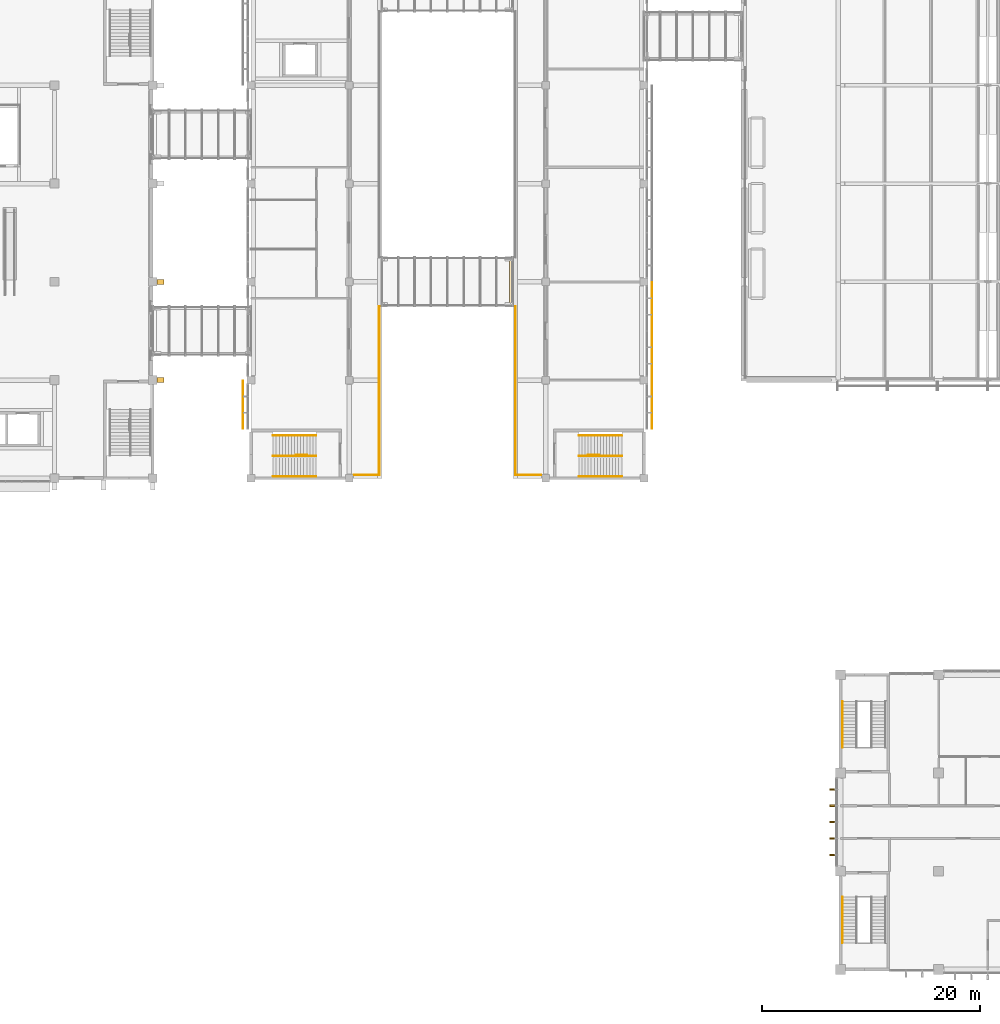
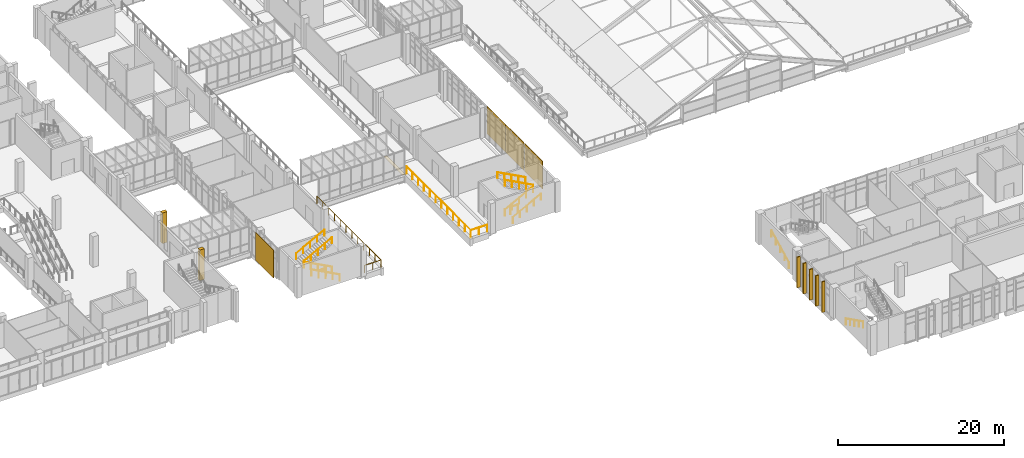
# One storey, part 97 of 106: 14 railings, 7 coverings, 5 shading devices.
"""IFC4 building model written with IfcOpenShell, lengths in metres."""

from ifc_helpers import new_model, si_unit, direction, frame, origin, origin_2d, place, context, subcontext, project, spatial, rectangle, circle, extrude, material, layer, layer_set, type_object, element, save


model = new_model("IFC4")

# Units and contexts
model_context = context("Model", 3, precision=1e-05, world=origin(), true_north=direction((0.0, 1.0)))
body_context = subcontext(model_context, "Body", "Model", "MODEL_VIEW")
ifc_project = project(units=[si_unit("LENGTHUNIT", "METRE"), si_unit("AREAUNIT", "SQUARE_METRE"), si_unit("VOLUMEUNIT", "CUBIC_METRE"), si_unit("PLANEANGLEUNIT", "RADIAN"), si_unit("MASSUNIT", "GRAM", prefix="KILO")], contexts=[model_context])

# Site, building, storey
site_placement = place(None, origin())
site = spatial("IfcSite", under=ifc_project, at=site_placement, CompositionType="ELEMENT")
building_placement = place(site_placement, origin())
building = spatial("IfcBuilding", under=site, at=building_placement, Name="Guidao Yard Department Store", CompositionType="ELEMENT")
storey_placement = place(building_placement, frame((0.0, 0.0, 10.5)))
storey = spatial("IfcBuildingStorey", under=building, at=storey_placement, Name="L02", CompositionType="ELEMENT", Elevation=10.5)

# Covering
ifc_material_1 = material(Name="Stainless steel 316", Category="steel")
ifc_layer_1 = layer(ifc_material_1, 0.010009765625)
ifc_layer_set_1 = layer_set([ifc_layer_1], Name="Bridge joint cover JC1 stainless steel 10 x 425")
covering_type_1 = type_object("IfcCoveringType", Name="Bridge joint cover JC1 stainless steel 10 x 425", PredefinedType="FLOORING", material=ifc_layer_set_1)
covering_placement = place(storey_placement, frame((95.887451171875, 63.0, 0.0), z_axis=(0.0, 0.0, 1.0), x_axis=(1.0, 0.0, 0.0)))
element("IfcCovering", 1, at=covering_placement, inside=storey, type_object=covering_type_1, Name="Bridge joint cover plate BR11", PredefinedType="FLOORING", context=body_context, shape_type="SweptSolid", body=[
    extrude(rectangle(XDim=0.425048828125, YDim=4.5, at=origin_2d()), origin(), (0.0, 0.0, 1.0), 0.010009765625),
])

# Railings
ifc_material_2 = material(Name="Steel Q235", Category="steel")
railing_type_1 = type_object("IfcRailingType", Name="Guard steel balustrade 1100", PredefinedType="GUARDRAIL", material=ifc_material_2)
railing_1_placement = place(storey_placement, frame((77.132080078125, 47.125, 0.0)))
element("IfcRailing", 2, at=railing_1_placement, inside=storey, type_object=railing_type_1, Name="Stair G1 guard L02 10", PredefinedType="GUARDRAIL", context=body_context, shape_type="SweptSolid", body=[
    extrude(circle(Radius=0.02392578125, at=origin_2d()), frame((0.0, 0.0, 1.076171875), z_axis=(-1.0, 0.0, 0.0), x_axis=(0.0, -1.0, 0.0)), (0.0, 0.0, 1.0), 1.0),
    extrude(circle(Radius=0.02099609375, at=origin_2d()), origin(), (0.0, 0.0, 1.0), 1.052001953125),
    extrude(circle(Radius=0.02099609375, at=origin_2d()), frame((-1.0, 0.0, 0.0)), (0.0, 0.0, 1.0), 1.052001953125),
])
railing_2_placement = place(storey_placement, frame((102.867919921875, 47.125, 0.0)))
element("IfcRailing", 3, at=railing_2_placement, inside=storey, type_object=railing_type_1, Name="Stair G3 guard L02 12", PredefinedType="GUARDRAIL", context=body_context, shape_type="SweptSolid", body=[
    extrude(circle(Radius=0.02392578125, at=origin_2d()), frame((0.0, 0.0, 1.076171875), z_axis=(1.0, 0.0, 0.0), x_axis=(0.0, 1.0, 0.0)), (0.0, 0.0, 1.0), 1.0),
    extrude(circle(Radius=0.02099609375, at=origin_2d()), origin(), (0.0, 0.0, 1.0), 1.052001953125),
    extrude(circle(Radius=0.02099609375, at=origin_2d()), frame((1.0, 0.0, 0.0)), (0.0, 0.0, 1.0), 1.052001953125),
])
railing_3_placement = place(storey_placement, frame((81.449951171875, 45.300048828125, 0.0)))
element("IfcRailing", 4, at=railing_3_placement, inside=storey, type_object=railing_type_1, Name="Guard gallery W1 L02", PredefinedType="GUARDRAIL", context=body_context, shape_type="SweptSolid", body=[
    extrude(circle(Radius=0.02392578125, at=origin_2d()), frame((0.0, 0.0, 1.076171875), z_axis=(1.0, 0.0, 0.0), x_axis=(0.0, 1.0, 0.0)), (0.0, 0.0, 1.0), 2.300048828125),
    extrude(circle(Radius=0.02392578125, at=origin_2d()), frame((2.300048828125, 0.0, 1.076171875), z_axis=(0.0, 1.0, 0.0), x_axis=(-1.0, 0.0, 0.0)), (0.0, 0.0, 1.0), 15.449951171875),
    extrude(circle(Radius=0.02099609375, at=origin_2d()), origin(), (0.0, 0.0, 1.0), 1.052001953125),
    extrude(circle(Radius=0.02099609375, at=origin_2d()), frame((1.14990234375, 0.0, 0.0)), (0.0, 0.0, 1.0), 1.052001953125),
    extrude(circle(Radius=0.02099609375, at=origin_2d()), frame((2.300048828125, 0.0, 0.0)), (0.0, 0.0, 1.0), 1.052001953125),
    extrude(circle(Radius=0.02099609375, at=origin_2d()), frame((2.300048828125, 1.404541015625, 0.0)), (0.0, 0.0, 1.0), 1.052001953125),
    extrude(circle(Radius=0.02099609375, at=origin_2d()), frame((2.300048828125, 2.80908203125, 0.0)), (0.0, 0.0, 1.0), 1.052001953125),
    extrude(circle(Radius=0.02099609375, at=origin_2d()), frame((2.300048828125, 4.213623046875, 0.0)), (0.0, 0.0, 1.0), 1.052001953125),
    extrude(circle(Radius=0.02099609375, at=origin_2d()), frame((2.300048828125, 5.6181640625, 0.0)), (0.0, 0.0, 1.0), 1.052001953125),
    extrude(circle(Radius=0.02099609375, at=origin_2d()), frame((2.300048828125, 7.022705078125, 0.0)), (0.0, 0.0, 1.0), 1.052001953125),
    extrude(circle(Radius=0.02099609375, at=origin_2d()), frame((2.300048828125, 8.42724609375, 0.0)), (0.0, 0.0, 1.0), 1.052001953125),
    extrude(circle(Radius=0.02099609375, at=origin_2d()), frame((2.300048828125, 9.831787109375, 0.0)), (0.0, 0.0, 1.0), 1.052001953125),
    extrude(circle(Radius=0.02099609375, at=origin_2d()), frame((2.300048828125, 11.236328125, 0.0)), (0.0, 0.0, 1.0), 1.052001953125),
    extrude(circle(Radius=0.02099609375, at=origin_2d()), frame((2.300048828125, 12.640869140625, 0.0)), (0.0, 0.0, 1.0), 1.052001953125),
    extrude(circle(Radius=0.02099609375, at=origin_2d()), frame((2.300048828125, 14.04541015625, 0.0)), (0.0, 0.0, 1.0), 1.052001953125),
    extrude(circle(Radius=0.02099609375, at=origin_2d()), frame((2.300048828125, 15.449951171875, 0.0)), (0.0, 0.0, 1.0), 1.052001953125),
])
railing_4_placement = place(storey_placement, frame((98.550048828125, 45.300048828125, 0.0)))
element("IfcRailing", 5, at=railing_4_placement, inside=storey, type_object=railing_type_1, Name="Guard gallery E1 L02", PredefinedType="GUARDRAIL", context=body_context, shape_type="SweptSolid", body=[
    extrude(circle(Radius=0.02392578125, at=origin_2d()), frame((0.0, 0.0, 1.076171875), z_axis=(-1.0, 0.0, 0.0), x_axis=(0.0, -1.0, 0.0)), (0.0, 0.0, 1.0), 2.300048828125),
    extrude(circle(Radius=0.02392578125, at=origin_2d()), frame((-2.300048828125, 0.0, 1.076171875), z_axis=(0.0, 1.0, 0.0), x_axis=(-1.0, 0.0, 0.0)), (0.0, 0.0, 1.0), 15.449951171875),
    extrude(circle(Radius=0.02099609375, at=origin_2d()), origin(), (0.0, 0.0, 1.0), 1.052001953125),
    extrude(circle(Radius=0.02099609375, at=origin_2d()), frame((-1.14990234375, 0.0, 0.0)), (0.0, 0.0, 1.0), 1.052001953125),
    extrude(circle(Radius=0.02099609375, at=origin_2d()), frame((-2.300048828125, 0.0, 0.0)), (0.0, 0.0, 1.0), 1.052001953125),
    extrude(circle(Radius=0.02099609375, at=origin_2d()), frame((-2.300048828125, 1.404541015625, 0.0)), (0.0, 0.0, 1.0), 1.052001953125),
    extrude(circle(Radius=0.02099609375, at=origin_2d()), frame((-2.300048828125, 2.80908203125, 0.0)), (0.0, 0.0, 1.0), 1.052001953125),
    extrude(circle(Radius=0.02099609375, at=origin_2d()), frame((-2.300048828125, 4.213623046875, 0.0)), (0.0, 0.0, 1.0), 1.052001953125),
    extrude(circle(Radius=0.02099609375, at=origin_2d()), frame((-2.300048828125, 5.6181640625, 0.0)), (0.0, 0.0, 1.0), 1.052001953125),
    extrude(circle(Radius=0.02099609375, at=origin_2d()), frame((-2.300048828125, 7.022705078125, 0.0)), (0.0, 0.0, 1.0), 1.052001953125),
    extrude(circle(Radius=0.02099609375, at=origin_2d()), frame((-2.300048828125, 8.42724609375, 0.0)), (0.0, 0.0, 1.0), 1.052001953125),
    extrude(circle(Radius=0.02099609375, at=origin_2d()), frame((-2.300048828125, 9.831787109375, 0.0)), (0.0, 0.0, 1.0), 1.052001953125),
    extrude(circle(Radius=0.02099609375, at=origin_2d()), frame((-2.300048828125, 11.236328125, 0.0)), (0.0, 0.0, 1.0), 1.052001953125),
    extrude(circle(Radius=0.02099609375, at=origin_2d()), frame((-2.300048828125, 12.640869140625, 0.0)), (0.0, 0.0, 1.0), 1.052001953125),
    extrude(circle(Radius=0.02099609375, at=origin_2d()), frame((-2.300048828125, 14.04541015625, 0.0)), (0.0, 0.0, 1.0), 1.052001953125),
    extrude(circle(Radius=0.02099609375, at=origin_2d()), frame((-2.300048828125, 15.449951171875, 0.0)), (0.0, 0.0, 1.0), 1.052001953125),
])
ifc_material_3 = material(Name="Steel Q235", Category="steel")
railing_type_2 = type_object("IfcRailingType", Name="Handrail steel tube 48", PredefinedType="HANDRAIL", material=ifc_material_3)
for number, where, name in (
    (6, (77.949951171875, 45.18505859375, 0.14990234375), "Stair G1 hand rail L02 33"),
    (7, (77.949951171875, 47.050048828125, 0.14990234375), "Stair G1 hand rail L02 34"),
):
    element("IfcRailing", number, at=place(storey_placement, frame(where)), inside=storey, type_object=railing_type_2, Name=name, PredefinedType="HANDRAIL", context=body_context, shape_type="SweptSolid", body=[
        extrude(circle(Radius=0.02392578125, at=origin_2d()), frame((0.0, 0.0, 0.8759765625), z_axis=(-0.881466911329, 0.0, 0.472245787945), x_axis=(0.0, -1.0, 0.0)), (0.0, 0.0, 1.0), 4.447021484375),
        extrude(circle(Radius=0.02099609375, at=origin_2d()), origin(), (0.0, 0.0, 1.0), 0.851806640625),
        extrude(circle(Radius=0.02099609375, at=origin_2d()), frame((-0.97998046875, 0.0, 0.52490234375)), (0.0, 0.0, 1.0), 0.851806640625),
        extrude(circle(Radius=0.02099609375, at=origin_2d()), frame((-1.9599609375, 0.0, 1.050048828125)), (0.0, 0.0, 1.0), 0.851806640625),
        extrude(circle(Radius=0.02099609375, at=origin_2d()), frame((-2.93994140625, 0.0, 1.5751953125)), (0.0, 0.0, 1.0), 0.851806640625),
        extrude(circle(Radius=0.02099609375, at=origin_2d()), frame((-3.919921875, 0.0, 2.10009765625)), (0.0, 0.0, 1.0), 0.851806640625),
    ])
for number, where, name in (
    (8, (74.030029296875, 48.9150390625, 2.39990234375), "Stair G1 hand rail L02 35"),
    (9, (74.030029296875, 47.050048828125, 2.39990234375), "Stair G1 hand rail L02 36"),
    (10, (102.050048828125, 45.18505859375, 0.14990234375), "Stair G3 hand rail L02 41"),
    (11, (102.050048828125, 47.050048828125, 0.14990234375), "Stair G3 hand rail L02 42"),
):
    element("IfcRailing", number, at=place(storey_placement, frame(where)), inside=storey, type_object=railing_type_2, Name=name, PredefinedType="HANDRAIL", context=body_context, shape_type="SweptSolid", body=[
        extrude(circle(Radius=0.02392578125, at=origin_2d()), frame((0.0, 0.0, 0.8759765625), z_axis=(0.881466911329, 0.0, 0.472245787945), x_axis=(0.0, 1.0, 0.0)), (0.0, 0.0, 1.0), 4.447021484375),
        extrude(circle(Radius=0.02099609375, at=origin_2d()), origin(), (0.0, 0.0, 1.0), 0.851806640625),
        extrude(circle(Radius=0.02099609375, at=origin_2d()), frame((0.97998046875, 0.0, 0.52490234375)), (0.0, 0.0, 1.0), 0.851806640625),
        extrude(circle(Radius=0.02099609375, at=origin_2d()), frame((1.9599609375, 0.0, 1.050048828125)), (0.0, 0.0, 1.0), 0.851806640625),
        extrude(circle(Radius=0.02099609375, at=origin_2d()), frame((2.93994140625, 0.0, 1.5751953125)), (0.0, 0.0, 1.0), 0.851806640625),
        extrude(circle(Radius=0.02099609375, at=origin_2d()), frame((3.919921875, 0.0, 2.10009765625)), (0.0, 0.0, 1.0), 0.851806640625),
    ])
for number, where, name in (
    (12, (105.969970703125, 48.9150390625, 2.39990234375), "Stair G3 hand rail L02 43"),
    (13, (105.969970703125, 47.050048828125, 2.39990234375), "Stair G3 hand rail L02 44"),
):
    element("IfcRailing", number, at=place(storey_placement, frame(where)), inside=storey, type_object=railing_type_2, Name=name, PredefinedType="HANDRAIL", context=body_context, shape_type="SweptSolid", body=[
        extrude(circle(Radius=0.02392578125, at=origin_2d()), frame((0.0, 0.0, 0.8759765625), z_axis=(-0.881466911329, 0.0, 0.472245787945), x_axis=(0.0, -1.0, 0.0)), (0.0, 0.0, 1.0), 4.447021484375),
        extrude(circle(Radius=0.02099609375, at=origin_2d()), origin(), (0.0, 0.0, 1.0), 0.851806640625),
        extrude(circle(Radius=0.02099609375, at=origin_2d()), frame((-0.97998046875, 0.0, 0.52490234375)), (0.0, 0.0, 1.0), 0.851806640625),
        extrude(circle(Radius=0.02099609375, at=origin_2d()), frame((-1.9599609375, 0.0, 1.050048828125)), (0.0, 0.0, 1.0), 0.851806640625),
        extrude(circle(Radius=0.02099609375, at=origin_2d()), frame((-2.93994140625, 0.0, 1.5751953125)), (0.0, 0.0, 1.0), 0.851806640625),
        extrude(circle(Radius=0.02099609375, at=origin_2d()), frame((-3.919921875, 0.0, 2.10009765625)), (0.0, 0.0, 1.0), 0.851806640625),
    ])
railing_5_placement = place(storey_placement, frame((126.18505859375, 6.64990234375, 0.14990234375)))
element("IfcRailing", 14, at=railing_5_placement, inside=storey, type_object=railing_type_2, Name="Stair O1 hand rail L02 49", PredefinedType="HANDRAIL", context=body_context, shape_type="SweptSolid", body=[
    extrude(circle(Radius=0.02392578125, at=origin_2d()), frame((0.0, 0.0, 0.8759765625), z_axis=(0.0, -0.894416792377, 0.447234392142), x_axis=(1.0, 0.0, 0.0)), (0.0, 0.0, 1.0), 4.69580078125),
    extrude(circle(Radius=0.02099609375, at=origin_2d()), origin(), (0.0, 0.0, 1.0), 0.851806640625),
    extrude(circle(Radius=0.02099609375, at=origin_2d()), frame((0.0, -1.050048828125, 0.52490234375)), (0.0, 0.0, 1.0), 0.851806640625),
    extrude(circle(Radius=0.02099609375, at=origin_2d()), frame((0.0, -2.10009765625, 1.050048828125)), (0.0, 0.0, 1.0), 0.851806640625),
    extrude(circle(Radius=0.02099609375, at=origin_2d()), frame((0.0, -3.14990234375, 1.5751953125)), (0.0, 0.0, 1.0), 0.851806640625),
    extrude(circle(Radius=0.02099609375, at=origin_2d()), frame((0.0, -4.199951171875, 2.10009765625)), (0.0, 0.0, 1.0), 0.851806640625),
])
railing_6_placement = place(storey_placement, frame((126.18505859375, 20.35009765625, 0.14990234375)))
element("IfcRailing", 15, at=railing_6_placement, inside=storey, type_object=railing_type_2, Name="Stair O3 hand rail L02 57", PredefinedType="HANDRAIL", context=body_context, shape_type="SweptSolid", body=[
    extrude(circle(Radius=0.02392578125, at=origin_2d()), frame((0.0, 0.0, 0.8759765625), z_axis=(0.0, 0.894416792377, 0.447234392142), x_axis=(-1.0, 0.0, 0.0)), (0.0, 0.0, 1.0), 4.69580078125),
    extrude(circle(Radius=0.02099609375, at=origin_2d()), origin(), (0.0, 0.0, 1.0), 0.851806640625),
    extrude(circle(Radius=0.02099609375, at=origin_2d()), frame((0.0, 1.050048828125, 0.52490234375)), (0.0, 0.0, 1.0), 0.851806640625),
    extrude(circle(Radius=0.02099609375, at=origin_2d()), frame((0.0, 2.10009765625, 1.050048828125)), (0.0, 0.0, 1.0), 0.851806640625),
    extrude(circle(Radius=0.02099609375, at=origin_2d()), frame((0.0, 3.14990234375, 1.5751953125)), (0.0, 0.0, 1.0), 0.851806640625),
    extrude(circle(Radius=0.02099609375, at=origin_2d()), frame((0.0, 4.199951171875, 2.10009765625)), (0.0, 0.0, 1.0), 0.851806640625),
])

# Coverings
ifc_material_4 = material(Name="Galvanised steel Q235 perforated plate", Category="steel")
ifc_layer_2 = layer(ifc_material_4, 0.0400390625)
ifc_layer_set_2 = layer_set([ifc_layer_2], Name="Perforated screen PS1 galvanised steel")
covering_type_2 = type_object("IfcCoveringType", Name="Perforated screen PS1 galvanised steel", PredefinedType="CLADDING", material=ifc_layer_set_2)
for number, where, z_axis, x_axis, name in (
    (16, (71.27001953125, 51.75, 0.199951171875), (0.0, 0.0, 1.0), (0.0, 1.0, 0.0), "Perforated screen"),
    (17, (108.72998046875, 51.75, 0.199951171875), (0.0, 0.0, 1.0), (0.0, -1.0, 0.0), "Perforated screen"),
    (18, (108.72998046875, 56.25, 0.199951171875), (0.0, 0.0, 1.0), (0.0, -1.0, 0.0), "Perforated screen"),
    (19, (108.72998046875, 60.75, 0.199951171875), (0.0, 0.0, 1.0), (0.0, -1.0, 0.0), "Perforated screen"),
):
    element("IfcCovering", number, at=place(storey_placement, frame(where, z_axis=z_axis, x_axis=x_axis)), inside=storey, type_object=covering_type_2, Name=name, PredefinedType="CLADDING", context=body_context, shape_type="SweptSolid", body=[
        extrude(rectangle(XDim=4.39990234375, YDim=0.0400390625, at=origin_2d()), origin(), (0.0, 0.0, 1.0), 4.10009765625),
    ])
ifc_material_5 = material(Name="Precast concrete C40/50", Category="concrete")
ifc_layer_3 = layer(ifc_material_5, 0.449951171875)
ifc_layer_set_3 = layer_set([ifc_layer_3], Name="Precast fin FN1 board-formed concrete")
covering_type_3 = type_object("IfcCoveringType", Name="Precast fin FN1 board-formed concrete", PredefinedType="CLADDING", material=ifc_layer_set_3)
for number, where, z_axis, x_axis, name in (
    (20, (63.72509765625, 54.0, 0.0), (0.0, 0.0, 1.0), (0.0, -1.0, 0.0), "Precast fin"),
    (21, (63.72509765625, 63.0, 0.0), (0.0, 0.0, 1.0), (0.0, -1.0, 0.0), "Precast fin"),
):
    element("IfcCovering", number, at=place(storey_placement, frame(where, z_axis=z_axis, x_axis=x_axis)), inside=storey, type_object=covering_type_3, Name=name, PredefinedType="CLADDING", context=body_context, shape_type="SweptSolid", body=[
        extrude(rectangle(XDim=0.449951171875, YDim=0.64990234375, at=origin_2d()), origin(), (0.0, 0.0, 1.0), 4.5),
    ])

# Shading devices
ifc_material_6 = material(Name="Aluminium 6063-T5", Category="aluminium")
shading_device_type = type_object("IfcShadingDeviceType", Name="Vertical fin FN2 aluminium 150 x 450", PredefinedType="SHUTTER", material=ifc_material_6)
for number, where, z_axis, x_axis, name in (
    (22, (125.264892578125, 10.5, 0.0), (0.0, 0.0, 1.0), (0.0, 1.0, 0.0), "Vertical fin"),
    (23, (125.264892578125, 12.0, 0.0), (0.0, 0.0, 1.0), (0.0, 1.0, 0.0), "Vertical fin"),
    (24, (125.264892578125, 13.5, 0.0), (0.0, 0.0, 1.0), (0.0, 1.0, 0.0), "Vertical fin"),
    (25, (125.264892578125, 15.0, 0.0), (0.0, 0.0, 1.0), (0.0, 1.0, 0.0), "Vertical fin"),
    (26, (125.264892578125, 16.5, 0.0), (0.0, 0.0, 1.0), (0.0, 1.0, 0.0), "Vertical fin"),
):
    element("IfcShadingDevice", number, at=place(storey_placement, frame(where, z_axis=z_axis, x_axis=x_axis)), inside=storey, type_object=shading_device_type, Name=name, PredefinedType="SHUTTER", context=body_context, shape_type="SweptSolid", body=[
        extrude(rectangle(XDim=0.14990234375, YDim=0.449951171875, at=origin_2d()), origin(), (0.0, 0.0, 1.0), 4.5),
    ])

save(model, "model.ifc")
